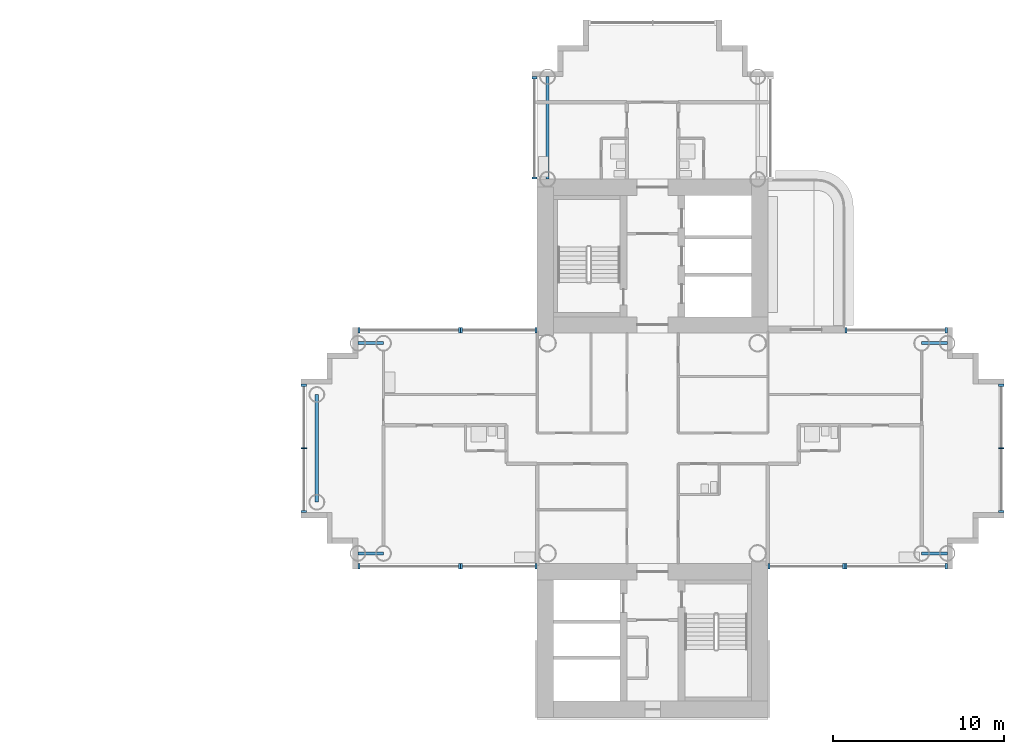
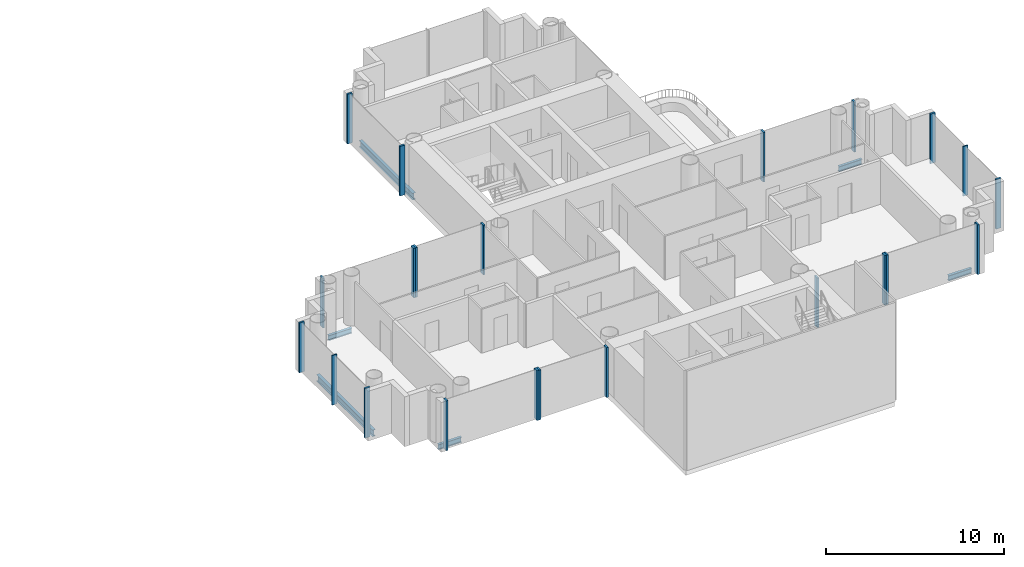
# One storey, part 5 of 21: 22 members, 6 beams, 10 elements without a shape of their own.
"""IFC4 building model written with IfcOpenShell, lengths in metres."""

from ifc_helpers import new_model, si_unit, direction, frame, origin, origin_2d, place, context, subcontext, project, spatial, rectangle, i_section, extrude, material, layer, layer_set, material_profile, profile_set, type_object, element, aggregate, save


model = new_model("IFC4")

# Units and contexts
model_context = context("Model", 3, precision=1e-05, world=origin(), true_north=direction((0.0, 1.0)))
body_context = subcontext(model_context, "Body", "Model", "MODEL_VIEW")
ifc_project = project(units=[si_unit("LENGTHUNIT", "METRE"), si_unit("AREAUNIT", "SQUARE_METRE"), si_unit("VOLUMEUNIT", "CUBIC_METRE"), si_unit("PLANEANGLEUNIT", "RADIAN"), si_unit("MASSUNIT", "GRAM", prefix="KILO")], contexts=[model_context])

# Site, building, storey
site_placement = place(None, origin())
site = spatial("IfcSite", under=ifc_project, at=site_placement, CompositionType="ELEMENT")
building_placement = place(site_placement, origin())
building = spatial("IfcBuilding", under=site, at=building_placement, Name="Ipe Terrace Towers", CompositionType="ELEMENT")
storey_placement = place(building_placement, frame((0.0, 0.0, 97.0)))
storey = spatial("IfcBuildingStorey", under=building, at=storey_placement, Name="L26", CompositionType="ELEMENT", Elevation=97.0)

# Beams
ifc_material_1 = material(Name="Steel S355", Category="steel")
ifc_material_profile_1 = material_profile(ifc_material_1, i_section(OverallWidth=0.175048828125, OverallDepth=0.35009765625, WebThickness=0.007080078125, FlangeThickness=0.010986328125, at=origin_2d()), Name="H-350x175x7x11")
ifc_profile_set_1 = profile_set([ifc_material_profile_1], Name="Steel S355")
beam_type_1 = type_object("IfcBeamType", Name="H04 EDGE BEAM H-350x175x7x11", PredefinedType="BEAM", material=ifc_profile_set_1)
for number, where, z_axis, x_axis, name in (
    (1, (20.25, 6.14990234375, -0.574951171875), (-1.0, 0.0, 0.0), (0.0, -1.0, 0.0), "Edge beam T2-EB-B03-B05"),
    (2, (20.25, -6.14990234375, -0.574951171875), (-1.0, 0.0, 0.0), (0.0, -1.0, 0.0), "Edge beam T2-EB-B04-B06"),
    (3, (51.75, -6.14990234375, -0.574951171875), (1.0, 0.0, 0.0), (0.0, 1.0, 0.0), "Edge beam T2-EB-D03-D05"),
    (4, (51.75, 6.14990234375, -0.574951171875), (1.0, 0.0, 0.0), (0.0, 1.0, 0.0), "Edge beam T2-EB-D04-D06"),
):
    element("IfcBeam", number, at=place(storey_placement, frame(where, z_axis=z_axis, x_axis=x_axis)), inside=storey, type_object=beam_type_1, Name=name, PredefinedType="BEAM", context=body_context, shape_type="SweptSolid", body=[
        extrude(i_section(OverallWidth=0.175048828125, OverallDepth=0.35009765625, WebThickness=0.007080078125, FlangeThickness=0.010986328125, at=origin_2d()), origin(), (0.0, 0.0, 1.0), 1.5),
    ])
ifc_material_2 = material(Name="Steel S355", Category="steel")
ifc_material_profile_2 = material_profile(ifc_material_2, i_section(OverallWidth=0.199951171875, OverallDepth=0.449951171875, WebThickness=0.009033203125, FlangeThickness=0.013916015625, at=origin_2d()), Name="H-450x200x9x14")
ifc_profile_set_2 = profile_set([ifc_material_profile_2], Name="Steel S355")
beam_type_2 = type_object("IfcBeamType", Name="H08 EDGE BEAM H-450x200x9x14", PredefinedType="BEAM", material=ifc_profile_set_2)
beam_1_placement = place(storey_placement, frame((29.85009765625, 15.75, -0.625), z_axis=(0.0, 1.0, 0.0), x_axis=(-1.0, 0.0, 0.0)))
element("IfcBeam", 5, at=beam_1_placement, inside=storey, type_object=beam_type_2, Name="Edge beam T2-EB-A02-A04", PredefinedType="BEAM", context=body_context, shape_type="SweptSolid", body=[
    extrude(i_section(OverallWidth=0.199951171875, OverallDepth=0.449951171875, WebThickness=0.009033203125, FlangeThickness=0.013916015625, at=origin_2d()), origin(), (0.0, 0.0, 1.0), 6.0),
])
beam_2_placement = place(storey_placement, frame((16.35009765625, 3.14990234375, -0.625), z_axis=(0.0, -1.0, 0.0), x_axis=(1.0, 0.0, 0.0)))
element("IfcBeam", 6, at=beam_2_placement, inside=storey, type_object=beam_type_2, Name="Edge beam T2-EB-B07-B08", PredefinedType="BEAM", context=body_context, shape_type="SweptSolid", body=[
    extrude(i_section(OverallWidth=0.199951171875, OverallDepth=0.449951171875, WebThickness=0.009033203125, FlangeThickness=0.013916015625, at=origin_2d()), origin(), (0.0, 0.0, 1.0), 6.2998046875),
])

# Curtain wall, members
ifc_material_3 = material(Name="Aluminium alloy 6063-T6", Category="aluminium")
ifc_layer = layer(ifc_material_3, 0.320068359375)
ifc_layer_set = layer_set([ifc_layer], Name="TOWER UNITISED CURTAIN WALL")
curtain_wall_type = type_object("IfcCurtainWallType", Name="TOWER UNITISED CURTAIN WALL", PredefinedType="NOTDEFINED", material=ifc_layer_set)
curtain_wall_1_placement = place(storey_placement, origin())
curtain_wall_1 = element("IfcCurtainWall", 7, at=curtain_wall_1_placement, inside=storey, type_object=curtain_wall_type, Name="T2-CW-L26-02a curtain wall", PredefinedType="NOTDEFINED")
ifc_material_4 = material(Name="Aluminium alloy 6063-T6", Category="aluminium")
ifc_material_profile_3 = material_profile(ifc_material_4, rectangle(XDim=0.320068359375, YDim=0.1201171875, at=origin_2d()), Name="TOWER UNITISED CORNER MULLION 320 x 120")
ifc_profile_set_3 = profile_set([ifc_material_profile_3], Name="Aluminium alloy 6063-T6")
member_type_1 = type_object("IfcMemberType", Name="TOWER UNITISED CORNER MULLION 320 x 120", PredefinedType="MULLION", material=ifc_profile_set_3)
member_1_placement = place(storey_placement, frame((42.81005859375, -6.909912109375, -0.300048828125), z_axis=(0.0, 0.0, 1.0), x_axis=(0.0, -1.0, 0.0)))
member_1 = element("IfcMember", 8, at=member_1_placement, type_object=member_type_1, Name="T2-CW-L26-02a mullion 1", PredefinedType="MULLION", context=body_context, shape_type="SweptSolid", body=[
    extrude(rectangle(XDim=0.320068359375, YDim=0.1201171875, at=origin_2d()), origin(), (0.0, 0.0, 1.0), 3.400146484375),
])
member_2_placement = place(storey_placement, frame((47.18994140625, -6.909912109375, -0.300048828125), z_axis=(0.0, 0.0, 1.0), x_axis=(0.0, -1.0, 0.0)))
member_2 = element("IfcMember", 9, at=member_2_placement, type_object=member_type_1, Name="T2-CW-L26-02a mullion 2", PredefinedType="MULLION", context=body_context, shape_type="SweptSolid", body=[
    extrude(rectangle(XDim=0.320068359375, YDim=0.1201171875, at=origin_2d()), origin(), (0.0, 0.0, 1.0), 3.400146484375),
])
aggregate(curtain_wall_1, [member_1, member_2])

curtain_wall_2_placement = place(storey_placement, origin())
curtain_wall_2 = element("IfcCurtainWall", 10, at=curtain_wall_2_placement, inside=storey, type_object=curtain_wall_type, Name="T2-CW-L26-03a curtain wall", PredefinedType="NOTDEFINED")
member_3_placement = place(storey_placement, frame((47.31005859375, -6.909912109375, -0.300048828125), z_axis=(0.0, 0.0, 1.0), x_axis=(0.0, -1.0, 0.0)))
member_3 = element("IfcMember", 11, at=member_3_placement, type_object=member_type_1, Name="T2-CW-L26-03a mullion 1", PredefinedType="MULLION", context=body_context, shape_type="SweptSolid", body=[
    extrude(rectangle(XDim=0.320068359375, YDim=0.1201171875, at=origin_2d()), origin(), (0.0, 0.0, 1.0), 3.400146484375),
])
member_4_placement = place(storey_placement, frame((53.18994140625, -6.909912109375, -0.300048828125), z_axis=(0.0, 0.0, 1.0), x_axis=(0.0, -1.0, 0.0)))
member_4 = element("IfcMember", 12, at=member_4_placement, type_object=member_type_1, Name="T2-CW-L26-03a mullion 2", PredefinedType="MULLION", context=body_context, shape_type="SweptSolid", body=[
    extrude(rectangle(XDim=0.320068359375, YDim=0.1201171875, at=origin_2d()), origin(), (0.0, 0.0, 1.0), 3.400146484375),
])
aggregate(curtain_wall_2, [member_3, member_4])

curtain_wall_3_placement = place(storey_placement, origin())
curtain_wall_3 = element("IfcCurtainWall", 13, at=curtain_wall_3_placement, inside=storey, type_object=curtain_wall_type, Name="T2-CW-L26-08a curtain wall", PredefinedType="NOTDEFINED")
member_5_placement = place(storey_placement, frame((56.409912109375, -3.68994140625, -0.300048828125), z_axis=(0.0, 0.0, 1.0), x_axis=(1.0, 0.0, 0.0)))
member_5 = element("IfcMember", 14, at=member_5_placement, type_object=member_type_1, Name="T2-CW-L26-08a mullion 1", PredefinedType="MULLION", context=body_context, shape_type="SweptSolid", body=[
    extrude(rectangle(XDim=0.320068359375, YDim=0.1201171875, at=origin_2d()), origin(), (0.0, 0.0, 1.0), 3.400146484375),
])
member_6_placement = place(storey_placement, frame((56.409912109375, 3.68994140625, -0.300048828125), z_axis=(0.0, 0.0, 1.0), x_axis=(1.0, 0.0, 0.0)))
member_6 = element("IfcMember", 15, at=member_6_placement, type_object=member_type_1, Name="T2-CW-L26-08a mullion 3", PredefinedType="MULLION", context=body_context, shape_type="SweptSolid", body=[
    extrude(rectangle(XDim=0.320068359375, YDim=0.1201171875, at=origin_2d()), origin(), (0.0, 0.0, 1.0), 3.400146484375),
])

curtain_wall_4_placement = place(storey_placement, origin())
curtain_wall_4 = element("IfcCurtainWall", 16, at=curtain_wall_4_placement, inside=storey, type_object=curtain_wall_type, Name="T2-CW-L26-13a curtain wall", PredefinedType="NOTDEFINED")
member_7_placement = place(storey_placement, frame((53.18994140625, 6.909912109375, -0.300048828125), z_axis=(0.0, 0.0, 1.0), x_axis=(0.0, 1.0, 0.0)))
member_7 = element("IfcMember", 17, at=member_7_placement, type_object=member_type_1, Name="T2-CW-L26-13a mullion 1", PredefinedType="MULLION", context=body_context, shape_type="SweptSolid", body=[
    extrude(rectangle(XDim=0.320068359375, YDim=0.1201171875, at=origin_2d()), origin(), (0.0, 0.0, 1.0), 3.400146484375),
])
member_8_placement = place(storey_placement, frame((47.31005859375, 6.909912109375, -0.300048828125), z_axis=(0.0, 0.0, 1.0), x_axis=(0.0, 1.0, 0.0)))
member_8 = element("IfcMember", 18, at=member_8_placement, type_object=member_type_1, Name="T2-CW-L26-13a mullion 2", PredefinedType="MULLION", context=body_context, shape_type="SweptSolid", body=[
    extrude(rectangle(XDim=0.320068359375, YDim=0.1201171875, at=origin_2d()), origin(), (0.0, 0.0, 1.0), 3.400146484375),
])
aggregate(curtain_wall_4, [member_7, member_8])

curtain_wall_5_placement = place(storey_placement, origin())
curtain_wall_5 = element("IfcCurtainWall", 19, at=curtain_wall_5_placement, inside=storey, type_object=curtain_wall_type, Name="T2-CW-L26-26a curtain wall", PredefinedType="NOTDEFINED")
member_9_placement = place(storey_placement, frame((29.090087890625, 21.68994140625, -0.300048828125), z_axis=(0.0, 0.0, 1.0), x_axis=(-1.0, 0.0, 0.0)))
member_9 = element("IfcMember", 20, at=member_9_placement, type_object=member_type_1, Name="T2-CW-L26-26a mullion 1", PredefinedType="MULLION", context=body_context, shape_type="SweptSolid", body=[
    extrude(rectangle(XDim=0.320068359375, YDim=0.1201171875, at=origin_2d()), origin(), (0.0, 0.0, 1.0), 3.400146484375),
])
member_10_placement = place(storey_placement, frame((29.090087890625, 15.81103515625, -0.300048828125), z_axis=(0.0, 0.0, 1.0), x_axis=(-1.0, 0.0, 0.0)))
member_10 = element("IfcMember", 21, at=member_10_placement, type_object=member_type_1, Name="T2-CW-L26-26a mullion 2", PredefinedType="MULLION", context=body_context, shape_type="SweptSolid", body=[
    extrude(rectangle(XDim=0.320068359375, YDim=0.1201171875, at=origin_2d()), origin(), (0.0, 0.0, 1.0), 3.400146484375),
])
aggregate(curtain_wall_5, [member_9, member_10])

curtain_wall_6_placement = place(storey_placement, origin())
curtain_wall_6 = element("IfcCurtainWall", 22, at=curtain_wall_6_placement, inside=storey, type_object=curtain_wall_type, Name="T2-CW-L26-28a curtain wall", PredefinedType="NOTDEFINED")
member_11_placement = place(storey_placement, frame((29.18994140625, 6.909912109375, -0.300048828125), z_axis=(0.0, 0.0, 1.0), x_axis=(0.0, 1.0, 0.0)))
member_11 = element("IfcMember", 23, at=member_11_placement, type_object=member_type_1, Name="T2-CW-L26-28a mullion 1", PredefinedType="MULLION", context=body_context, shape_type="SweptSolid", body=[
    extrude(rectangle(XDim=0.320068359375, YDim=0.1201171875, at=origin_2d()), origin(), (0.0, 0.0, 1.0), 3.400146484375),
])
member_12_placement = place(storey_placement, frame((24.81005859375, 6.909912109375, -0.300048828125), z_axis=(0.0, 0.0, 1.0), x_axis=(0.0, 1.0, 0.0)))
member_12 = element("IfcMember", 24, at=member_12_placement, type_object=member_type_1, Name="T2-CW-L26-28a mullion 2", PredefinedType="MULLION", context=body_context, shape_type="SweptSolid", body=[
    extrude(rectangle(XDim=0.320068359375, YDim=0.1201171875, at=origin_2d()), origin(), (0.0, 0.0, 1.0), 3.400146484375),
])
aggregate(curtain_wall_6, [member_11, member_12])

curtain_wall_7_placement = place(storey_placement, origin())
curtain_wall_7 = element("IfcCurtainWall", 25, at=curtain_wall_7_placement, inside=storey, type_object=curtain_wall_type, Name="T2-CW-L26-29a curtain wall", PredefinedType="NOTDEFINED")
member_13_placement = place(storey_placement, frame((24.68994140625, 6.909912109375, -0.300048828125), z_axis=(0.0, 0.0, 1.0), x_axis=(0.0, 1.0, 0.0)))
member_13 = element("IfcMember", 26, at=member_13_placement, type_object=member_type_1, Name="T2-CW-L26-29a mullion 1", PredefinedType="MULLION", context=body_context, shape_type="SweptSolid", body=[
    extrude(rectangle(XDim=0.320068359375, YDim=0.1201171875, at=origin_2d()), origin(), (0.0, 0.0, 1.0), 3.400146484375),
])
member_14_placement = place(storey_placement, frame((18.81005859375, 6.909912109375, -0.300048828125), z_axis=(0.0, 0.0, 1.0), x_axis=(0.0, 1.0, 0.0)))
member_14 = element("IfcMember", 27, at=member_14_placement, type_object=member_type_1, Name="T2-CW-L26-29a mullion 2", PredefinedType="MULLION", context=body_context, shape_type="SweptSolid", body=[
    extrude(rectangle(XDim=0.320068359375, YDim=0.1201171875, at=origin_2d()), origin(), (0.0, 0.0, 1.0), 3.400146484375),
])
aggregate(curtain_wall_7, [member_13, member_14])

curtain_wall_8_placement = place(storey_placement, origin())
curtain_wall_8 = element("IfcCurtainWall", 28, at=curtain_wall_8_placement, inside=storey, type_object=curtain_wall_type, Name="T2-CW-L26-34a curtain wall", PredefinedType="NOTDEFINED")
member_15_placement = place(storey_placement, frame((15.590087890625, 3.68994140625, -0.300048828125), z_axis=(0.0, 0.0, 1.0), x_axis=(-1.0, 0.0, 0.0)))
member_15 = element("IfcMember", 29, at=member_15_placement, type_object=member_type_1, Name="T2-CW-L26-34a mullion 1", PredefinedType="MULLION", context=body_context, shape_type="SweptSolid", body=[
    extrude(rectangle(XDim=0.320068359375, YDim=0.1201171875, at=origin_2d()), origin(), (0.0, 0.0, 1.0), 3.400146484375),
])
member_16_placement = place(storey_placement, frame((15.590087890625, -3.68994140625, -0.300048828125), z_axis=(0.0, 0.0, 1.0), x_axis=(-1.0, 0.0, 0.0)))
member_16 = element("IfcMember", 30, at=member_16_placement, type_object=member_type_1, Name="T2-CW-L26-34a mullion 3", PredefinedType="MULLION", context=body_context, shape_type="SweptSolid", body=[
    extrude(rectangle(XDim=0.320068359375, YDim=0.1201171875, at=origin_2d()), origin(), (0.0, 0.0, 1.0), 3.400146484375),
])

curtain_wall_9_placement = place(storey_placement, origin())
curtain_wall_9 = element("IfcCurtainWall", 31, at=curtain_wall_9_placement, inside=storey, type_object=curtain_wall_type, Name="T2-CW-L26-39a curtain wall", PredefinedType="NOTDEFINED")
member_17_placement = place(storey_placement, frame((18.81005859375, -6.909912109375, -0.300048828125), z_axis=(0.0, 0.0, 1.0), x_axis=(0.0, -1.0, 0.0)))
member_17 = element("IfcMember", 32, at=member_17_placement, type_object=member_type_1, Name="T2-CW-L26-39a mullion 1", PredefinedType="MULLION", context=body_context, shape_type="SweptSolid", body=[
    extrude(rectangle(XDim=0.320068359375, YDim=0.1201171875, at=origin_2d()), origin(), (0.0, 0.0, 1.0), 3.400146484375),
])
member_18_placement = place(storey_placement, frame((24.68994140625, -6.909912109375, -0.300048828125), z_axis=(0.0, 0.0, 1.0), x_axis=(0.0, -1.0, 0.0)))
member_18 = element("IfcMember", 33, at=member_18_placement, type_object=member_type_1, Name="T2-CW-L26-39a mullion 2", PredefinedType="MULLION", context=body_context, shape_type="SweptSolid", body=[
    extrude(rectangle(XDim=0.320068359375, YDim=0.1201171875, at=origin_2d()), origin(), (0.0, 0.0, 1.0), 3.400146484375),
])
aggregate(curtain_wall_9, [member_17, member_18])

curtain_wall_10_placement = place(storey_placement, origin())
curtain_wall_10 = element("IfcCurtainWall", 34, at=curtain_wall_10_placement, inside=storey, type_object=curtain_wall_type, Name="T2-CW-L26-40a curtain wall", PredefinedType="NOTDEFINED")
member_19_placement = place(storey_placement, frame((24.81005859375, -6.909912109375, -0.300048828125), z_axis=(0.0, 0.0, 1.0), x_axis=(0.0, -1.0, 0.0)))
member_19 = element("IfcMember", 35, at=member_19_placement, type_object=member_type_1, Name="T2-CW-L26-40a mullion 1", PredefinedType="MULLION", context=body_context, shape_type="SweptSolid", body=[
    extrude(rectangle(XDim=0.320068359375, YDim=0.1201171875, at=origin_2d()), origin(), (0.0, 0.0, 1.0), 3.400146484375),
])
member_20_placement = place(storey_placement, frame((29.18994140625, -6.909912109375, -0.300048828125), z_axis=(0.0, 0.0, 1.0), x_axis=(0.0, -1.0, 0.0)))
member_20 = element("IfcMember", 36, at=member_20_placement, type_object=member_type_1, Name="T2-CW-L26-40a mullion 2", PredefinedType="MULLION", context=body_context, shape_type="SweptSolid", body=[
    extrude(rectangle(XDim=0.320068359375, YDim=0.1201171875, at=origin_2d()), origin(), (0.0, 0.0, 1.0), 3.400146484375),
])
aggregate(curtain_wall_10, [member_19, member_20])

# Member
ifc_material_5 = material(Name="Aluminium alloy 6063-T6", Category="aluminium")
ifc_material_profile_4 = material_profile(ifc_material_5, rectangle(XDim=0.320068359375, YDim=0.06494140625, at=origin_2d()), Name="TOWER UNITISED MULLION 320 x 65")
ifc_profile_set_4 = profile_set([ifc_material_profile_4], Name="Aluminium alloy 6063-T6")
member_type_2 = type_object("IfcMemberType", Name="TOWER UNITISED MULLION 320 x 65", PredefinedType="MULLION", material=ifc_profile_set_4)
member_21_placement = place(storey_placement, frame((56.409912109375, 0.0, -0.300048828125), z_axis=(0.0, 0.0, 1.0), x_axis=(1.0, 0.0, 0.0)))
member_21 = element("IfcMember", 37, at=member_21_placement, type_object=member_type_2, Name="T2-CW-L26-08a mullion 2", PredefinedType="MULLION", context=body_context, shape_type="SweptSolid", body=[
    extrude(rectangle(XDim=0.320068359375, YDim=0.06494140625, at=origin_2d()), origin(), (0.0, 0.0, 1.0), 3.400146484375),
])

aggregate(curtain_wall_3, [member_5, member_21, member_6])

member_22_placement = place(storey_placement, frame((15.590087890625, 0.0, -0.300048828125), z_axis=(0.0, 0.0, 1.0), x_axis=(-1.0, 0.0, 0.0)))
member_22 = element("IfcMember", 38, at=member_22_placement, type_object=member_type_2, Name="T2-CW-L26-34a mullion 2", PredefinedType="MULLION", context=body_context, shape_type="SweptSolid", body=[
    extrude(rectangle(XDim=0.320068359375, YDim=0.06494140625, at=origin_2d()), origin(), (0.0, 0.0, 1.0), 3.400146484375),
])

aggregate(curtain_wall_8, [member_15, member_22, member_16])

save(model, "model.ifc")
